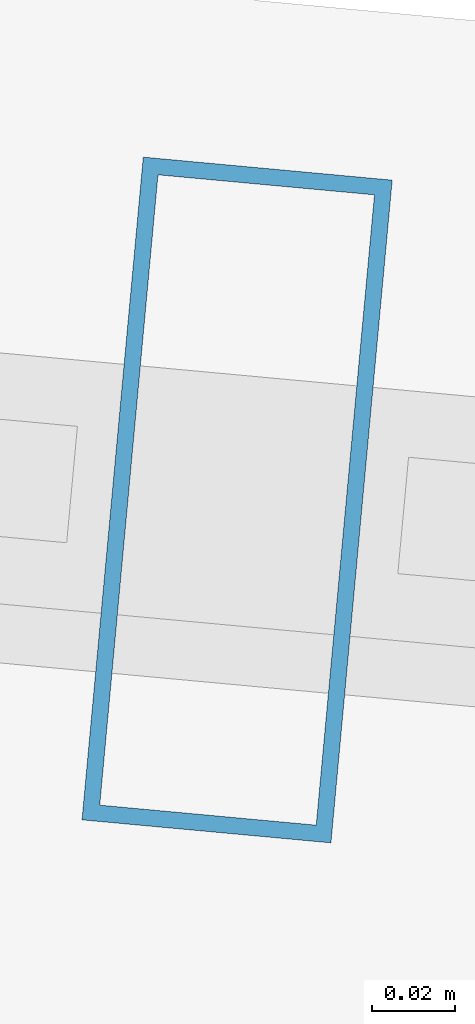
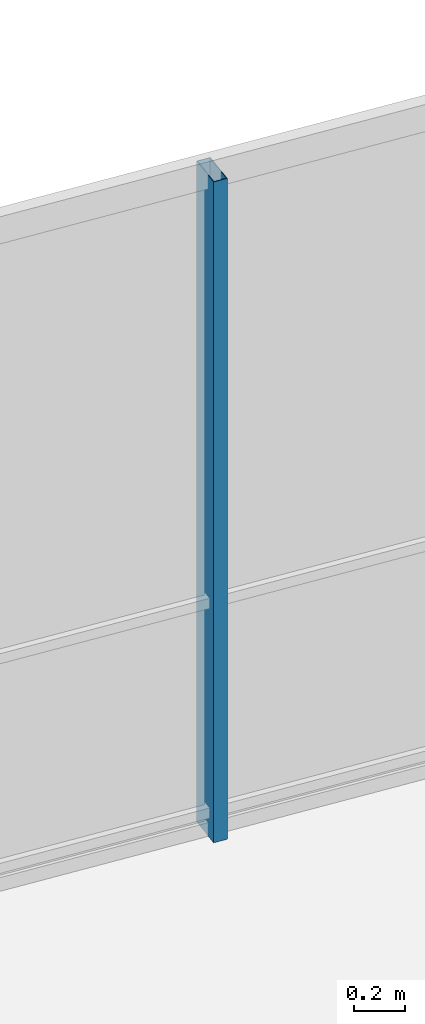
# One storey, part 22 of 30: 1 member, 1 element without a shape of its own.
"""IFC4 building model written with IfcOpenShell, lengths in metres."""

from ifc_helpers import new_model, si_unit, direction, frame, origin, origin_2d, place, context, subcontext, project, spatial, hollow_rectangle, extrude, material, layer, layer_set, material_profile, profile_set, type_object, element, aggregate, save


model = new_model("IFC4")

# Units and contexts
model_context = context("Model", 3, precision=1e-05, world=origin(), true_north=direction((0.0, 1.0)))
body_context = subcontext(model_context, "Body", "Model", "MODEL_VIEW")
ifc_project = project(units=[si_unit("LENGTHUNIT", "METRE"), si_unit("AREAUNIT", "SQUARE_METRE"), si_unit("VOLUMEUNIT", "CUBIC_METRE"), si_unit("PLANEANGLEUNIT", "RADIAN"), si_unit("MASSUNIT", "GRAM", prefix="KILO")], contexts=[model_context])

# Site, building, storey
site_placement = place(None, origin())
site = spatial("IfcSite", under=ifc_project, at=site_placement, CompositionType="ELEMENT")
building_placement = place(site_placement, origin())
building = spatial("IfcBuilding", under=site, at=building_placement, Name="Qarnah Convention Tower", CompositionType="ELEMENT")
storey_placement = place(building_placement, frame((0.0, 0.0, 47.699951171875)))
storey = spatial("IfcBuildingStorey", under=building, at=storey_placement, Name="L11", CompositionType="ELEMENT", Elevation=47.699951171875)

# Curtain wall, member
ifc_material_1 = material(Name="Tempered Low-E dark glass", Category="glass")
ifc_layer = layer(ifc_material_1, 0.16796875)
ifc_layer_set = layer_set([ifc_layer], Name="Tempered Low-E dark glass")
curtain_wall_type = type_object("IfcCurtainWallType", Name="CWS-01", PredefinedType="NOTDEFINED", material=ifc_layer_set)
curtain_wall_placement = place(storey_placement, origin())
curtain_wall = element("IfcCurtainWall", 1, at=curtain_wall_placement, inside=storey, type_object=curtain_wall_type, Name="L11 unitised curtain wall CW-L11-F2", PredefinedType="NOTDEFINED")
ifc_material_2 = material(Name="Black anodised aluminium", Category="aluminium")
ifc_material_profile = material_profile(ifc_material_2, hollow_rectangle(XDim=0.06005859375, YDim=0.159912109375, WallThickness=0.00390625, at=origin_2d()), Name="MUL-60X160")
ifc_profile_set = profile_set([ifc_material_profile], Name="Black anodised aluminium")
member_type = type_object("IfcMemberType", Name="MUL-T1", PredefinedType="MULLION", material=ifc_profile_set)
member_placement = place(storey_placement, frame((43.6015625, 44.474853515625, 0.0), z_axis=(0.0, 0.0, 1.0), x_axis=(0.995755501183, -0.092037937091, 0.0)))
member = element("IfcMember", 2, at=member_placement, type_object=member_type, Name="CW-L11-F2 mullion 4", PredefinedType="MULLION", context=body_context, shape_type="SweptSolid", body=[
    extrude(hollow_rectangle(XDim=0.06005859375, YDim=0.159912109375, WallThickness=0.00390625, at=origin_2d()), origin(), (0.0, 0.0, 1.0), 3.170166015625),
])
aggregate(curtain_wall, [member])

save(model, "model.ifc")
